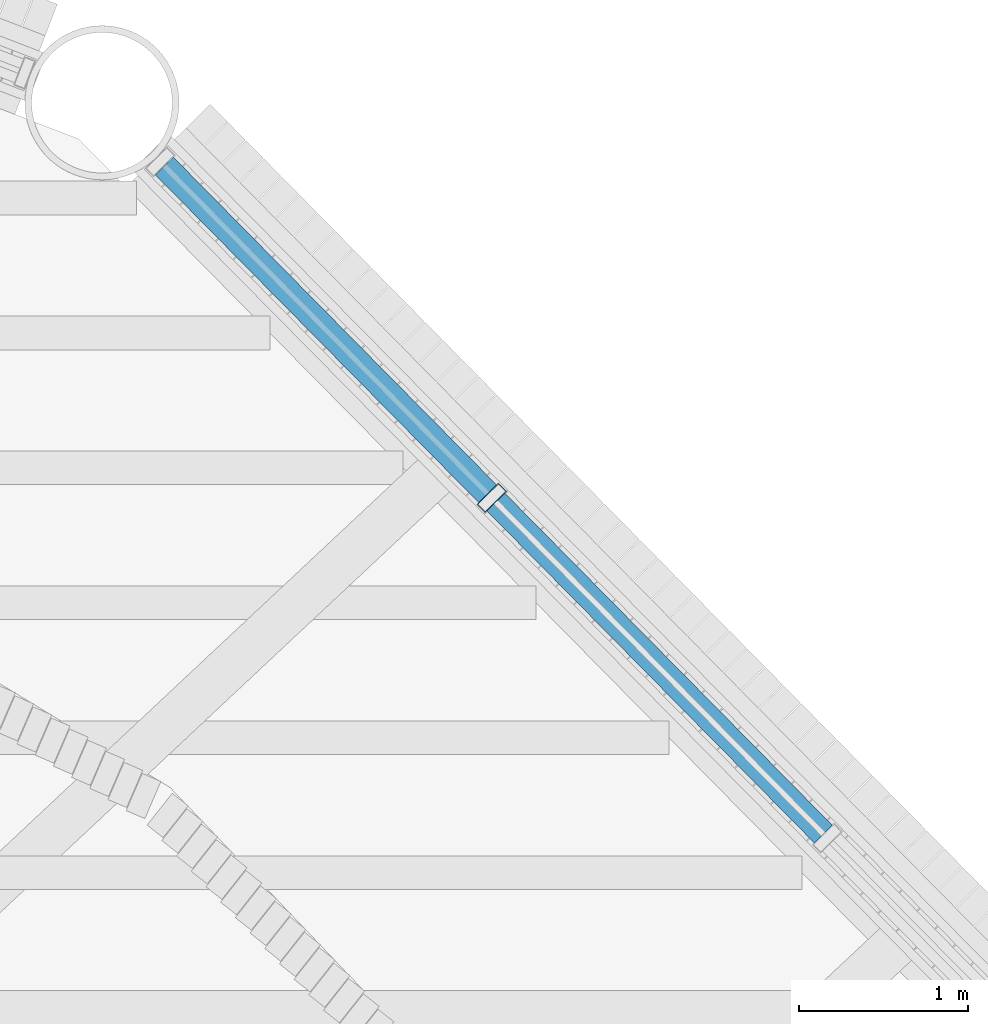
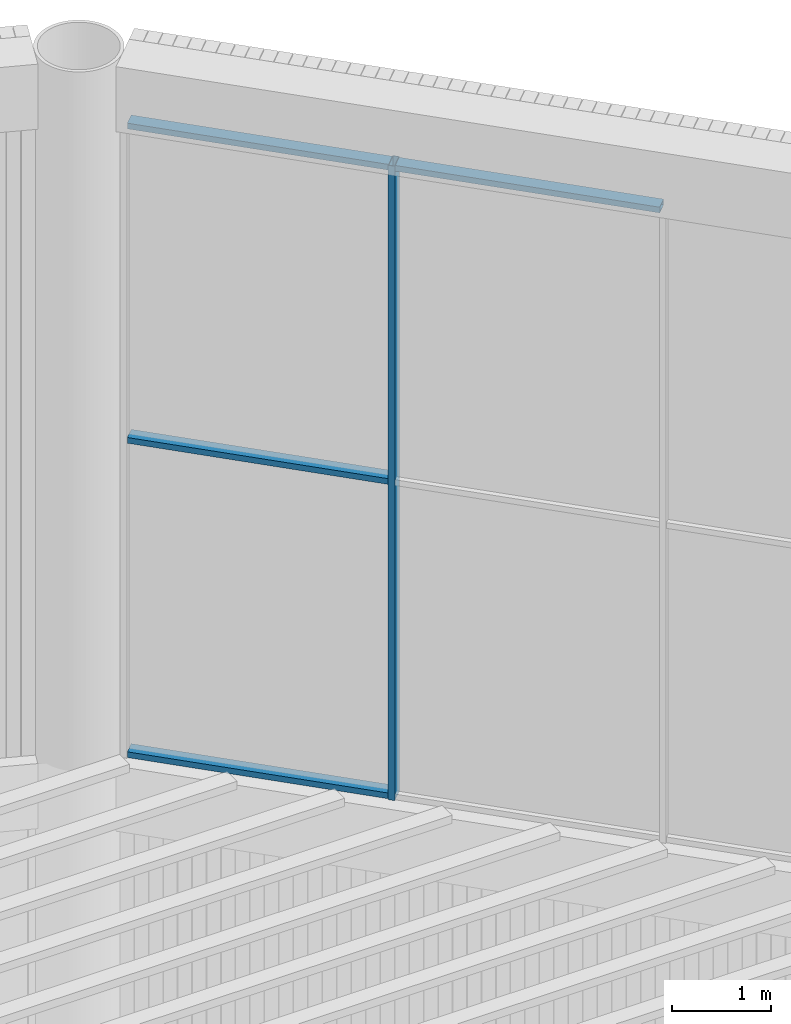
# One storey, part 60 of 117: 5 members, 1 element without a shape of its own.
"""IFC4 building model written with IfcOpenShell, lengths in metres."""

from ifc_helpers import new_model, si_unit, direction, frame, origin, origin_2d, place, context, subcontext, project, spatial, hollow_rectangle, extrude, material, layer, layer_set, material_profile, profile_set, type_object, element, aggregate, save


model = new_model("IFC4")

# Units and contexts
model_context = context("Model", 3, precision=1e-05, world=origin(), true_north=direction((0.0, 1.0)))
body_context = subcontext(model_context, "Body", "Model", "MODEL_VIEW")
ifc_project = project(units=[si_unit("LENGTHUNIT", "METRE"), si_unit("AREAUNIT", "SQUARE_METRE"), si_unit("VOLUMEUNIT", "CUBIC_METRE"), si_unit("PLANEANGLEUNIT", "RADIAN"), si_unit("MASSUNIT", "GRAM", prefix="KILO")], contexts=[model_context])

# Site, building, storey
site_placement = place(None, origin())
site = spatial("IfcSite", under=ifc_project, at=site_placement, CompositionType="ELEMENT")
building_placement = place(site_placement, origin())
building = spatial("IfcBuilding", under=site, at=building_placement, Name="Tarsis Ring Headquarters", CompositionType="ELEMENT")
storey_placement = place(building_placement, frame((0.0, 0.0, 403.60009765625)))
storey = spatial("IfcBuildingStorey", under=building, at=storey_placement, Name="L95", CompositionType="ELEMENT", Elevation=403.60009765625)

# Curtain wall, members
ifc_material_1 = material(Name="Aluminium curtain wall", Category="aluminium")
ifc_layer = layer(ifc_material_1, 0.179931640625)
ifc_layer_set = layer_set([ifc_layer], Name="Curtain wall crown glazing")
curtain_wall_type = type_object("IfcCurtainWallType", Name="Curtain wall crown glazing", PredefinedType="NOTDEFINED", material=ifc_layer_set)
curtain_wall_placement = place(storey_placement, origin())
curtain_wall = element("IfcCurtainWall", 1, at=curtain_wall_placement, inside=storey, type_object=curtain_wall_type, Name="Crown glazing U8", PredefinedType="NOTDEFINED")
ifc_material_2 = material(Name="Aluminium mullion", Category="aluminium")
ifc_material_profile_1 = material_profile(ifc_material_2, hollow_rectangle(XDim=0.179931640625, YDim=0.070068359375, WallThickness=0.0048828125, at=origin_2d()), Name="RHS 180x70x5")
ifc_profile_set_1 = profile_set([ifc_material_profile_1], Name="Aluminium mullion")
member_type_1 = type_object("IfcMemberType", Name="Crown glazing mullion RHS 180x70x5", PredefinedType="MULLION", material=ifc_profile_set_1)
member_1_placement = place(storey_placement, frame((18.226318359375, 21.957763671875, 14.39990234375), z_axis=(0.0, 0.0, 1.0), x_axis=(-0.711949304899, -0.70223086464, 0.0)))
member_1 = element("IfcMember", 2, at=member_1_placement, type_object=member_type_1, Name="CW-C mullion 4", PredefinedType="MULLION", context=body_context, shape_type="SweptSolid", body=[
    extrude(hollow_rectangle(XDim=0.179931640625, YDim=0.070068359375, WallThickness=0.0048828125, at=origin_2d()), origin(), (0.0, 0.0, 1.0), 7.800048828125),
])
ifc_material_3 = material(Name="Aluminium transom", Category="aluminium")
ifc_material_profile_2 = material_profile(ifc_material_3, hollow_rectangle(XDim=0.14990234375, YDim=0.070068359375, WallThickness=0.0048828125, at=origin_2d()), Name="RHS 150x70x5")
ifc_profile_set_2 = profile_set([ifc_material_profile_2], Name="Aluminium transom")
member_type_2 = type_object("IfcMemberType", Name="Crown glazing transom RHS 150x70x5", PredefinedType="USERDEFINED", material=ifc_profile_set_2)
member_2_placement = place(storey_placement, frame((20.191650390625, 19.965087890625, 22.164794921875), z_axis=(-0.702187107163, 0.711992462414, 0.0), x_axis=(-0.711992462414, -0.702187107163, 0.0)))
member_2 = element("IfcMember", 3, at=member_2_placement, type_object=member_type_2, Name="CW-C transom 3.3", ObjectType="TRANSOM", PredefinedType="USERDEFINED", context=body_context, shape_type="SweptSolid", body=[
    extrude(hollow_rectangle(XDim=0.14990234375, YDim=0.070068359375, WallThickness=0.0048828125, at=origin_2d()), origin(), (0.0, 0.0, 1.0), 2.763671875),
])
member_3_placement = place(storey_placement, frame((18.20166015625, 21.982666015625, 14.434814453125), z_axis=(-0.702258834555, 0.711921715703, 0.0), x_axis=(-0.711921715703, -0.702258834555, 0.0)))
member_3 = element("IfcMember", 4, at=member_3_placement, type_object=member_type_2, Name="CW-C transom 4.1", ObjectType="TRANSOM", PredefinedType="USERDEFINED", context=body_context, shape_type="SweptSolid", body=[
    extrude(hollow_rectangle(XDim=0.14990234375, YDim=0.070068359375, WallThickness=0.0048828125, at=origin_2d()), origin(), (0.0, 0.0, 1.0), 2.728759765625),
])
member_4_placement = place(storey_placement, frame((18.20166015625, 21.982666015625, 18.2998046875), z_axis=(-0.702258834555, 0.711921715703, 0.0), x_axis=(-0.711921715703, -0.702258834555, 0.0)))
member_4 = element("IfcMember", 5, at=member_4_placement, type_object=member_type_2, Name="CW-C transom 4.2", ObjectType="TRANSOM", PredefinedType="USERDEFINED", context=body_context, shape_type="SweptSolid", body=[
    extrude(hollow_rectangle(XDim=0.14990234375, YDim=0.070068359375, WallThickness=0.0048828125, at=origin_2d()), origin(), (0.0, 0.0, 1.0), 2.728759765625),
])
member_5_placement = place(storey_placement, frame((18.20166015625, 21.982666015625, 22.164794921875), z_axis=(-0.702258834555, 0.711921715703, 0.0), x_axis=(-0.711921715703, -0.702258834555, 0.0)))
member_5 = element("IfcMember", 6, at=member_5_placement, type_object=member_type_2, Name="CW-C transom 4.3", ObjectType="TRANSOM", PredefinedType="USERDEFINED", context=body_context, shape_type="SweptSolid", body=[
    extrude(hollow_rectangle(XDim=0.14990234375, YDim=0.070068359375, WallThickness=0.0048828125, at=origin_2d()), origin(), (0.0, 0.0, 1.0), 2.728759765625),
])
aggregate(curtain_wall, [member_1, member_2, member_3, member_4, member_5])

save(model, "model.ifc")
